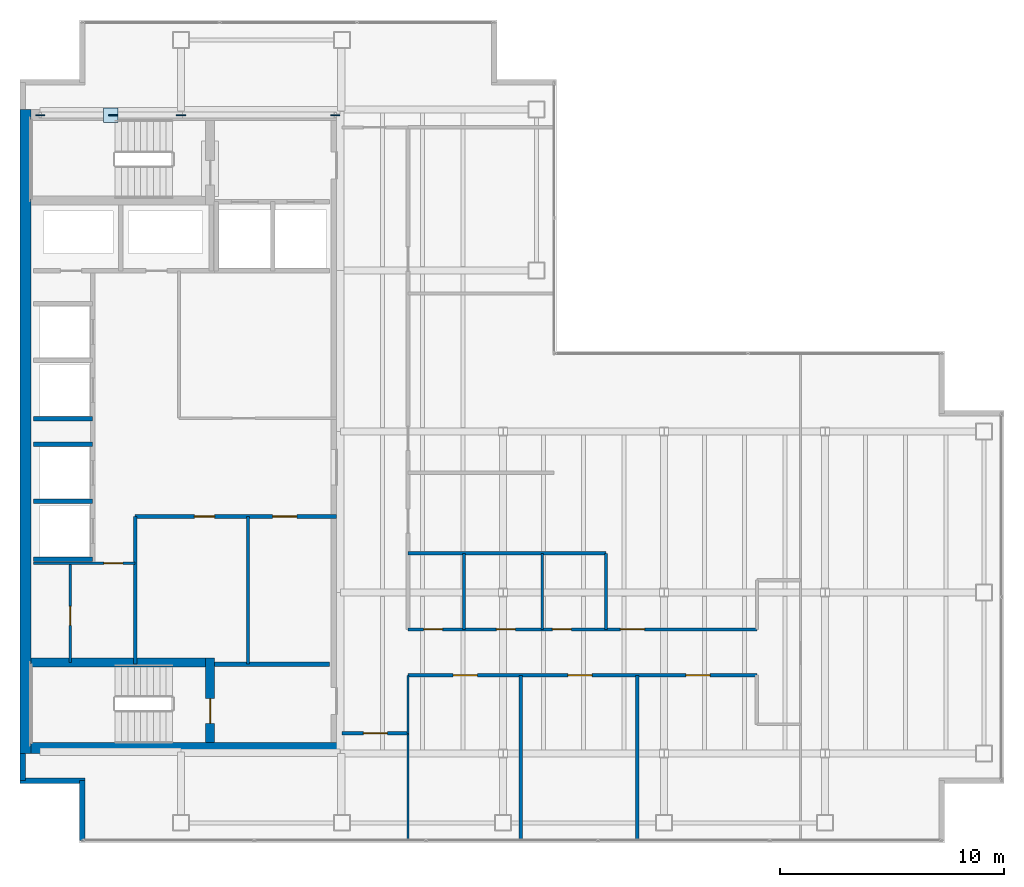
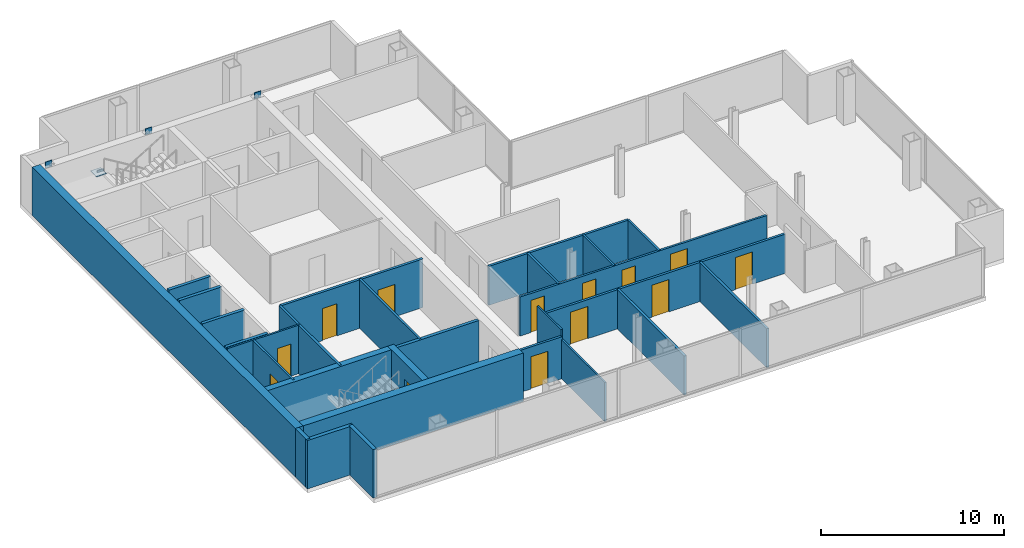
# One storey, part 20 of 23: 28 walls, 13 doors, 5 plates, 13 openings.
"""IFC4 building model written with IfcOpenShell, lengths in metres."""

from ifc_helpers import new_model, si_unit, direction, frame, frame_2d, origin, origin_2d, place, context, subcontext, project, spatial, rectangle, extrude, material, layer, layer_set, type_object, element, fill, save


model = new_model("IFC4")

# Units and contexts
model_context = context("Model", 3, precision=1e-05, world=origin(), true_north=direction((0.0, 1.0)))
body_context = subcontext(model_context, "Body", "Model", "MODEL_VIEW")
ifc_project = project(units=[si_unit("LENGTHUNIT", "METRE"), si_unit("AREAUNIT", "SQUARE_METRE"), si_unit("VOLUMEUNIT", "CUBIC_METRE"), si_unit("PLANEANGLEUNIT", "RADIAN"), si_unit("MASSUNIT", "GRAM", prefix="KILO")], contexts=[model_context])

# Site, building, storey
site_placement = place(None, origin())
site = spatial("IfcSite", under=ifc_project, at=site_placement, CompositionType="ELEMENT")
building_placement = place(site_placement, origin())
building = spatial("IfcBuilding", under=site, at=building_placement, Name="Cobrela Telecom Tower", CompositionType="ELEMENT")
storey_placement = place(building_placement, frame((0.0, 0.0, 222.25)))
storey = spatial("IfcBuildingStorey", under=building, at=storey_placement, Name="L57", CompositionType="ELEMENT", Elevation=222.25)

# Plates
ifc_material_1 = material(Name="Steel ASTM A572 Grade 50", Category="steel")
ifc_layer_1 = layer(ifc_material_1, 0.0419921875)
ifc_layer_set_1 = layer_set([ifc_layer_1], Name="Steel ASTM A572 Grade 50")
plate_type = type_object("IfcPlateType", Name="PLT-NODE-ND1", PredefinedType="USERDEFINED", material=ifc_layer_set_1)
for number, where, z_axis, x_axis, name in (
    (1, (7.199951171875, 35.75, 3.0751953125), (0.0, 0.0, 1.0), (1.0, 0.0, 0.0), "Steel node plate PLT-MBR-EXO-L57-N1-A-1"),
    (2, (4.173828125, 35.75, 1.349609375), (0.0, 0.0, 1.0), (-1.0, 0.0, 0.0), "Steel node plate PLT-MBR-EXO-L57-N1-B1-1"),
    (3, (0.89990234375, 35.75, 3.0751953125), (0.0, 0.0, 1.0), (-1.0, 0.0, 0.0), "Steel node plate PLT-MBR-EXO-L57-N1-B2-1"),
):
    element("IfcPlate", number, at=place(storey_placement, frame(where, z_axis=z_axis, x_axis=x_axis)), inside=storey, type_object=plate_type, Name=name, ObjectType="GUSSET PLATE", PredefinedType="USERDEFINED", context=body_context, shape_type="SweptSolid", body=[
        extrude(rectangle(XDim=0.409912109375, YDim=0.044921875, at=origin_2d()), origin(), (0.0, 0.0, 1.0), 0.409912109375),
    ])
plate_1_placement = place(storey_placement, frame((4.050048828125, 35.75, 1.59765625), z_axis=(0.0, 0.0, 1.0), x_axis=(1.0, 0.0, 0.0)))
element("IfcPlate", 4, at=plate_1_placement, inside=storey, type_object=plate_type, Name="L57 Core Flange Steel X-Brace Central X-Crossing Gusset Plate", ObjectType="GUSSET PLATE", PredefinedType="USERDEFINED", context=body_context, shape_type="SweptSolid", body=[
    extrude(rectangle(XDim=0.64990234375, YDim=0.64990234375, at=origin_2d()), origin(), (0.0, 0.0, 1.0), 0.044921875),
])
plate_2_placement = place(storey_placement, frame((14.10009765625, 35.75, 3.0751953125), z_axis=(0.0, 0.0, 1.0), x_axis=(1.0, 0.0, 0.0)))
element("IfcPlate", 5, at=plate_2_placement, inside=storey, type_object=plate_type, Name="Steel node plate PLT-MBR-EXO-L57-N2-1", ObjectType="GUSSET PLATE", PredefinedType="USERDEFINED", context=body_context, shape_type="SweptSolid", body=[
    extrude(rectangle(XDim=0.409912109375, YDim=0.044921875, at=origin_2d()), origin(), (0.0, 0.0, 1.0), 0.409912109375),
])

# Walls
ifc_material_2 = material(Name="Concrete C40/50", Category="concrete")
ifc_layer_2 = layer(ifc_material_2, 0.5)
ifc_layer_set_2 = layer_set([ifc_layer_2], Name="Concrete C40/50")
wall_type_1 = type_object("IfcWallType", Name="WALL-CORE-C40-500", PredefinedType="SHEAR", material=ifc_layer_set_2)
wall_1_placement = place(storey_placement, frame((0.25, 7.199951171875, 0.0), z_axis=(0.0, 0.0, 1.0), x_axis=(0.0, 1.0, 0.0)))
element("IfcWall", 6, at=wall_1_placement, inside=storey, type_object=wall_type_1, Name="L57 West Core Shear Wall", PredefinedType="SHEAR", context=body_context, shape_type="SweptSolid", body=[
    extrude(rectangle(XDim=28.800048828125, YDim=0.5, at=frame_2d((14.39990234375, 0.0))), origin(), (0.0, 0.0, 1.0), 3.239990234375),
])
wall_2_placement = place(storey_placement, frame((0.5, 7.449951171875, 0.0), z_axis=(0.0, 0.0, 1.0), x_axis=(1.0, 0.0, 0.0)))
element("IfcWall", 7, at=wall_2_placement, inside=storey, type_object=wall_type_1, Name="L57 South Core Shear Wall", PredefinedType="SHEAR", context=body_context, shape_type="SweptSolid", body=[
    extrude(rectangle(XDim=13.89990234375, YDim=0.5, at=frame_2d((6.949951171875, 0.0))), origin(), (0.0, 0.0, 1.0), 3.239990234375),
])
ifc_layer_3 = layer(ifc_material_2, 0.239990234375)
ifc_layer_set_3 = layer_set([ifc_layer_3], Name="Concrete C40/50")
wall_type_2 = type_object("IfcWallType", Name="WALL-EXT-300", PredefinedType="STANDARD", material=ifc_layer_set_3)
wall_3_placement = place(storey_placement, frame((2.7900390625, 3.320068359375, 0.0), z_axis=(0.0, 0.0, 1.0), x_axis=(0.0, 1.0, 0.0)))
element("IfcWall", 8, at=wall_3_placement, inside=storey, type_object=wall_type_2, Name="L57 Insulated Facade Wall 01", PredefinedType="STANDARD", context=body_context, shape_type="SweptSolid", body=[
    extrude(rectangle(XDim=2.669921875, YDim=0.239990234375, at=frame_2d((1.3349609375, 0.0))), origin(), (0.0, 0.0, 1.0), 3.239990234375),
])
wall_4_placement = place(storey_placement, frame((2.909912109375, 5.989990234375, 0.0), z_axis=(0.0, 0.0, 1.0), x_axis=(-1.0, 0.0, 0.0)))
element("IfcWall", 9, at=wall_4_placement, inside=storey, type_object=wall_type_2, Name="L57 Insulated Facade Wall 02", PredefinedType="STANDARD", context=body_context, shape_type="SweptSolid", body=[
    extrude(rectangle(XDim=2.909912109375, YDim=0.239990234375, at=frame_2d((1.455078125, 0.0))), origin(), (0.0, 0.0, 1.0), 3.239990234375),
])
wall_5_placement = place(storey_placement, frame((0.1201171875, 5.989990234375, 0.0), z_axis=(0.0, 0.0, 1.0), x_axis=(0.0, 1.0, 0.0)))
element("IfcWall", 10, at=wall_5_placement, inside=storey, type_object=wall_type_2, Name="L57 Insulated Facade Wall 03", PredefinedType="STANDARD", context=body_context, shape_type="SweptSolid", body=[
    extrude(rectangle(XDim=1.2099609375, YDim=0.239990234375, at=frame_2d((0.60498046875, 0.0))), origin(), (0.0, 0.0, 1.0), 3.239990234375),
])

# Wall, opening, door
ifc_material_3 = material(Name="Fire-Rated Gypsum Plasterboard")
ifc_layer_4 = layer(ifc_material_3, 0.110107421875)
ifc_layer_set_4 = layer_set([ifc_layer_4], Name="Fire-Rated Gypsum Plasterboard")
wall_type_3 = type_object("IfcWallType", Name="WALL-PART-110", PredefinedType="PARTITIONING", material=ifc_layer_set_4)
wall_6_placement = place(storey_placement, frame((0.60009765625, 15.699951171875, 0.0), z_axis=(0.0, 0.0, 1.0), x_axis=(1.0, 0.0, 0.0)))
wall_6 = element("IfcWall", 11, at=wall_6_placement, inside=storey, type_object=wall_type_3, Name="L57 Interior Partition CW-FLEX-N", PredefinedType="PARTITIONING", context=body_context, shape_type="SweptSolid", body=[
    extrude(rectangle(XDim=4.5498046875, YDim=0.110107421875, at=frame_2d((2.27490234375, 0.0))), origin(), (0.0, 0.0, 1.0), 3.239990234375),
])
opening_1_placement = place(wall_6_placement, frame((3.14990234375, 0.0, 0.0)))
opening_1 = element("IfcOpeningElement", 12, at=opening_1_placement, cuts=wall_6, Name="Opening DR-11", PredefinedType="OPENING", context=body_context, shape_type="SweptSolid", body=[
    extrude(rectangle(XDim=0.85009765625, YDim=2.14990234375, at=frame_2d((0.425048828125, 1.074951171875))), frame((0.0, 0.06689453125, 0.0), z_axis=(0.0, -1.0, 0.0), x_axis=(1.0, 0.0, 0.0)), (0.0, 0.0, 1.0), 0.134033203125),
])
ifc_material_4 = material(Name="Solid Engineered Oak Timber", Category="wood")
door_type_1 = type_object("IfcDoorType", Name="DOOR-INT-850", OperationType="SINGLE_SWING_LEFT", PredefinedType="DOOR", material=ifc_material_4)
door_1_placement = place(opening_1_placement, origin())
door_1 = element("IfcDoor", 13, at=door_1_placement, inside=storey, type_object=door_type_1, Name="L57 Door DR-11", OperationType="SINGLE_SWING_RIGHT", OverallHeight=2.14990234375, OverallWidth=0.85009765625, PredefinedType="DOOR", context=body_context, shape_type="SweptSolid", body=[
    extrude(rectangle(XDim=0.85009765625, YDim=2.14990234375, at=frame_2d((0.425048828125, 1.074951171875))), frame((0.0, 0.02490234375, 0.0), z_axis=(0.0, -1.0, 0.0), x_axis=(1.0, 0.0, 0.0)), (0.0, 0.0, 1.0), 0.050048828125),
])
fill(opening_1, door_1)

# Walls
wall_7_placement = place(storey_placement, frame((17.35009765625, 8.10009765625, 0.0), z_axis=(0.0, 0.0, 1.0), x_axis=(0.0, 1.0, 0.0)))
element("IfcWall", 14, at=wall_7_placement, inside=storey, type_object=wall_type_3, Name="L57 Interior Partition W-C-E1", PredefinedType="PARTITIONING", context=body_context, shape_type="SweptSolid", body=[
    extrude(rectangle(XDim=2.599853515625, YDim=0.110107421875, at=frame_2d((1.2998046875, 0.0))), origin(), (0.0, 0.0, 1.0), 3.239990234375),
])
wall_8_placement = place(storey_placement, frame((17.35009765625, 3.320068359375, 0.0), z_axis=(0.0, 0.0, 1.0), x_axis=(0.0, 1.0, 0.0)))
element("IfcWall", 15, at=wall_8_placement, inside=storey, type_object=wall_type_3, Name="L57 Interior Partition W-SW-E", PredefinedType="PARTITIONING", context=body_context, shape_type="SweptSolid", body=[
    extrude(rectangle(XDim=4.780029296875, YDim=0.110107421875, at=frame_2d((2.39013671875, 0.0))), origin(), (0.0, 0.0, 1.0), 2.613037109375),
])

# Wall, opening, door
ifc_layer_5 = layer(ifc_material_3, 0.125)
ifc_layer_set_5 = layer_set([ifc_layer_5], Name="Fire-Rated Gypsum Plasterboard")
wall_type_4 = type_object("IfcWallType", Name="WALL-PART-125", PredefinedType="PARTITIONING", material=ifc_layer_set_5)
wall_9_placement = place(storey_placement, frame((2.25, 11.280029296875, 0.0), z_axis=(0.0, 0.0, 1.0), x_axis=(0.0, 1.0, 0.0)))
wall_9 = element("IfcWall", 16, at=wall_9_placement, inside=storey, type_object=wall_type_4, Name="L57 Interior Partition CW-FK0-V", PredefinedType="PARTITIONING", context=body_context, shape_type="SweptSolid", body=[
    extrude(rectangle(XDim=4.419921875, YDim=0.125, at=frame_2d((2.2099609375, 0.0))), origin(), (0.0, 0.0, 1.0), 3.239990234375),
])
opening_2_placement = place(wall_9_placement, frame((1.64990234375, 0.0, 0.0)))
opening_2 = element("IfcOpeningElement", 17, at=opening_2_placement, cuts=wall_9, Name="Opening DR-11", PredefinedType="OPENING", context=body_context, shape_type="SweptSolid", body=[
    extrude(rectangle(XDim=0.85009765625, YDim=2.14990234375, at=frame_2d((0.425048828125, 1.074951171875))), frame((0.0, 0.074462890625, 0.0), z_axis=(0.0, -1.0, 0.0), x_axis=(1.0, 0.0, 0.0)), (0.0, 0.0, 1.0), 0.14892578125),
])
door_2_placement = place(opening_2_placement, origin())
door_2 = element("IfcDoor", 18, at=door_2_placement, inside=storey, type_object=door_type_1, Name="L57 Door DR-11", OperationType="SINGLE_SWING_LEFT", OverallHeight=2.14990234375, OverallWidth=0.85009765625, PredefinedType="DOOR", context=body_context, shape_type="SweptSolid", body=[
    extrude(rectangle(XDim=0.85009765625, YDim=2.14990234375, at=frame_2d((0.425048828125, 1.074951171875))), frame((0.0, 0.02490234375, 0.0), z_axis=(0.0, -1.0, 0.0), x_axis=(1.0, 0.0, 0.0)), (0.0, 0.0, 1.0), 0.050048828125),
])
fill(opening_2, door_2)

# Walls
for number, where, z_axis, x_axis, name in (
    (19, (19.85009765625, 12.75, 0.0), (0.0, 0.0, 1.0), (0.0, 1.0, 0.0), "L57 Interior Partition W-WCV-1"),
    (20, (23.35009765625, 12.75, 0.0), (0.0, 0.0, 1.0), (0.0, 1.0, 0.0), "L57 Interior Partition W-WCV-2"),
):
    element("IfcWall", number, at=place(storey_placement, frame(where, z_axis=z_axis, x_axis=x_axis)), inside=storey, type_object=wall_type_4, Name=name, PredefinedType="PARTITIONING", context=body_context, shape_type="SweptSolid", body=[
        extrude(rectangle(XDim=3.39990234375, YDim=0.125, at=frame_2d((1.699951171875, 0.0))), origin(), (0.0, 0.0, 1.0), 2.613037109375),
    ])
ifc_layer_6 = layer(ifc_material_3, 0.135009765625)
ifc_layer_set_6 = layer_set([ifc_layer_6], Name="Fire-Rated Gypsum Plasterboard")
wall_type_5 = type_object("IfcWallType", Name="WALL-PART-135", PredefinedType="PARTITIONING", material=ifc_layer_set_6)
wall_10_placement = place(storey_placement, frame((10.199951171875, 11.199951171875, 0.0), z_axis=(0.0, 0.0, 1.0), x_axis=(0.0, 1.0, 0.0)))
element("IfcWall", 21, at=wall_10_placement, inside=storey, type_object=wall_type_5, Name="L57 Interior Partition CW-RECM-V", PredefinedType="PARTITIONING", context=body_context, shape_type="SweptSolid", body=[
    extrude(rectangle(XDim=6.60009765625, YDim=0.135009765625, at=frame_2d((3.300048828125, 0.0))), origin(), (0.0, 0.0, 1.0), 3.239990234375),
])

# Wall, openings, doors
wall_11_placement = place(storey_placement, frame((17.35009765625, 12.75, 0.0), z_axis=(0.0, 0.0, 1.0), x_axis=(1.0, 0.0, 0.0)))
wall_11 = element("IfcWall", 22, at=wall_11_placement, inside=storey, type_object=wall_type_5, Name="L57 Interior Partition W-C-HN", PredefinedType="PARTITIONING", context=body_context, shape_type="SweptSolid", body=[
    extrude(rectangle(XDim=15.599853515625, YDim=0.135009765625, at=frame_2d((7.7998046875, 0.0))), origin(), (0.0, 0.0, 1.0), 2.613037109375),
])
opening_3_placement = place(wall_11_placement, frame((0.699951171875, 0.0, 0.0)))
opening_3 = element("IfcOpeningElement", 23, at=opening_3_placement, cuts=wall_11, Name="Opening DR-11", PredefinedType="OPENING", context=body_context, shape_type="SweptSolid", body=[
    extrude(rectangle(XDim=0.85009765625, YDim=2.14990234375, at=frame_2d((0.425048828125, 1.074951171875))), frame((0.0, 0.07958984375, 0.0), z_axis=(0.0, -1.0, 0.0), x_axis=(1.0, 0.0, 0.0)), (0.0, 0.0, 1.0), 0.158935546875),
])
opening_4_placement = place(wall_11_placement, frame((3.949951171875, 0.0, 0.0)))
opening_4 = element("IfcOpeningElement", 24, at=opening_4_placement, cuts=wall_11, Name="Opening DR-11", PredefinedType="OPENING", context=body_context, shape_type="SweptSolid", body=[
    extrude(rectangle(XDim=0.85009765625, YDim=2.14990234375, at=frame_2d((0.425048828125, 1.074951171875))), frame((0.0, 0.07958984375, 0.0), z_axis=(0.0, -1.0, 0.0), x_axis=(1.0, 0.0, 0.0)), (0.0, 0.0, 1.0), 0.158935546875),
])
opening_5_placement = place(wall_11_placement, frame((6.4599609375, 0.0, 0.0)))
opening_5 = element("IfcOpeningElement", 25, at=opening_5_placement, cuts=wall_11, Name="Opening DR-11", PredefinedType="OPENING", context=body_context, shape_type="SweptSolid", body=[
    extrude(rectangle(XDim=0.85009765625, YDim=2.14990234375, at=frame_2d((0.425048828125, 1.074951171875))), frame((0.0, 0.07958984375, 0.0), z_axis=(0.0, -1.0, 0.0), x_axis=(1.0, 0.0, 0.0)), (0.0, 0.0, 1.0), 0.158935546875),
])
opening_6_placement = place(wall_11_placement, frame((9.5, 0.0, 0.0)))
opening_6 = element("IfcOpeningElement", 26, at=opening_6_placement, cuts=wall_11, Name="Opening DR-63", PredefinedType="OPENING", context=body_context, shape_type="SweptSolid", body=[
    extrude(rectangle(XDim=1.080078125, YDim=2.14990234375, at=frame_2d((0.5400390625, 1.074951171875))), frame((0.0, 0.07958984375, 0.0), z_axis=(0.0, -1.0, 0.0), x_axis=(1.0, 0.0, 0.0)), (0.0, 0.0, 1.0), 0.158935546875),
])
door_type_2 = type_object("IfcDoorType", Name="DOOR-INT-1080", OperationType="SINGLE_SWING_LEFT", PredefinedType="DOOR", material=ifc_material_4)
door_3_placement = place(opening_6_placement, origin())
door_3 = element("IfcDoor", 27, at=door_3_placement, inside=storey, type_object=door_type_2, Name="L57 Door DR-63", OperationType="SINGLE_SWING_RIGHT", OverallHeight=2.14990234375, OverallWidth=1.080078125, PredefinedType="DOOR", context=body_context, shape_type="SweptSolid", body=[
    extrude(rectangle(XDim=1.080078125, YDim=2.14990234375, at=frame_2d((0.5400390625, 1.074951171875))), frame((0.0, 0.02490234375, 0.0), z_axis=(0.0, -1.0, 0.0), x_axis=(1.0, 0.0, 0.0)), (0.0, 0.0, 1.0), 0.050048828125),
])
fill(opening_6, door_3)
door_4_placement = place(opening_3_placement, origin())
door_4 = element("IfcDoor", 28, at=door_4_placement, inside=storey, type_object=door_type_1, Name="L57 Door DR-11", OperationType="SINGLE_SWING_LEFT", OverallHeight=2.14990234375, OverallWidth=0.85009765625, PredefinedType="DOOR", context=body_context, shape_type="SweptSolid", body=[
    extrude(rectangle(XDim=0.85009765625, YDim=2.14990234375, at=frame_2d((0.425048828125, 1.074951171875))), frame((0.0, 0.02490234375, 0.0), z_axis=(0.0, -1.0, 0.0), x_axis=(1.0, 0.0, 0.0)), (0.0, 0.0, 1.0), 0.050048828125),
])
fill(opening_3, door_4)
door_5_placement = place(opening_4_placement, origin())
door_5 = element("IfcDoor", 29, at=door_5_placement, inside=storey, type_object=door_type_1, Name="L57 Door DR-11", OperationType="SINGLE_SWING_RIGHT", OverallHeight=2.14990234375, OverallWidth=0.85009765625, PredefinedType="DOOR", context=body_context, shape_type="SweptSolid", body=[
    extrude(rectangle(XDim=0.85009765625, YDim=2.14990234375, at=frame_2d((0.425048828125, 1.074951171875))), frame((0.0, 0.02490234375, 0.0), z_axis=(0.0, -1.0, 0.0), x_axis=(1.0, 0.0, 0.0)), (0.0, 0.0, 1.0), 0.050048828125),
])
fill(opening_4, door_5)
door_6_placement = place(opening_5_placement, origin())
door_6 = element("IfcDoor", 30, at=door_6_placement, inside=storey, type_object=door_type_1, Name="L57 Door DR-11", OperationType="SINGLE_SWING_LEFT", OverallHeight=2.14990234375, OverallWidth=0.85009765625, PredefinedType="DOOR", context=body_context, shape_type="SweptSolid", body=[
    extrude(rectangle(XDim=0.85009765625, YDim=2.14990234375, at=frame_2d((0.425048828125, 1.074951171875))), frame((0.0, 0.02490234375, 0.0), z_axis=(0.0, -1.0, 0.0), x_axis=(1.0, 0.0, 0.0)), (0.0, 0.0, 1.0), 0.050048828125),
])
fill(opening_5, door_6)

# Walls
wall_12_placement = place(storey_placement, frame((26.199951171875, 12.75, 0.0), z_axis=(0.0, 0.0, 1.0), x_axis=(0.0, 1.0, 0.0)))
element("IfcWall", 31, at=wall_12_placement, inside=storey, type_object=wall_type_5, Name="L57 Interior Partition W-WC-R", PredefinedType="PARTITIONING", context=body_context, shape_type="SweptSolid", body=[
    extrude(rectangle(XDim=3.39990234375, YDim=0.135009765625, at=frame_2d((1.699951171875, 0.0))), origin(), (0.0, 0.0, 1.0), 2.613037109375),
])
ifc_layer_7 = layer(ifc_material_3, 0.14990234375)
ifc_layer_set_7 = layer_set([ifc_layer_7], Name="Fire-Rated Gypsum Plasterboard")
wall_type_6 = type_object("IfcWallType", Name="WALL-PART-150", PredefinedType="PARTITIONING", material=ifc_layer_set_7)
wall_13_placement = place(storey_placement, frame((5.14990234375, 11.199951171875, 0.0), z_axis=(0.0, 0.0, 1.0), x_axis=(0.0, 1.0, 0.0)))
element("IfcWall", 32, at=wall_13_placement, inside=storey, type_object=wall_type_6, Name="L57 Interior Partition CW-RECM-W", PredefinedType="PARTITIONING", context=body_context, shape_type="SweptSolid", body=[
    extrude(rectangle(XDim=6.60009765625, YDim=0.14990234375, at=frame_2d((3.300048828125, 0.0))), origin(), (0.0, 0.0, 1.0), 3.239990234375),
])

# Wall, opening, door
wall_14_placement = place(storey_placement, frame((14.39990234375, 8.10009765625, 0.0), z_axis=(0.0, 0.0, 1.0), x_axis=(1.0, 0.0, 0.0)))
wall_14 = element("IfcWall", 33, at=wall_14_placement, inside=storey, type_object=wall_type_6, Name="L57 Interior Partition W-C-S0", PredefinedType="PARTITIONING", context=body_context, shape_type="SweptSolid", body=[
    extrude(rectangle(XDim=2.9501953125, YDim=0.14990234375, at=frame_2d((1.47509765625, 0.0))), origin(), (0.0, 0.0, 1.0), 2.80810546875),
])
opening_7_placement = place(wall_14_placement, frame((0.949951171875, 0.0, 0.0)))
opening_7 = element("IfcOpeningElement", 34, at=opening_7_placement, cuts=wall_14, Name="Opening DR-63", PredefinedType="OPENING", context=body_context, shape_type="SweptSolid", body=[
    extrude(rectangle(XDim=1.080078125, YDim=2.14990234375, at=frame_2d((0.5400390625, 1.074951171875))), frame((0.0, 0.0869140625, 0.0), z_axis=(0.0, -1.0, 0.0), x_axis=(1.0, 0.0, 0.0)), (0.0, 0.0, 1.0), 0.173828125),
])
door_7_placement = place(opening_7_placement, origin())
door_7 = element("IfcDoor", 35, at=door_7_placement, inside=storey, type_object=door_type_2, Name="L57 Door DR-63", OperationType="SINGLE_SWING_RIGHT", OverallHeight=2.14990234375, OverallWidth=1.080078125, PredefinedType="DOOR", context=body_context, shape_type="SweptSolid", body=[
    extrude(rectangle(XDim=1.080078125, YDim=2.14990234375, at=frame_2d((0.5400390625, 1.074951171875))), frame((0.0, 0.02490234375, 0.0), z_axis=(0.0, -1.0, 0.0), x_axis=(1.0, 0.0, 0.0)), (0.0, 0.0, 1.0), 0.050048828125),
])
fill(opening_7, door_7)

# Wall, openings, doors
wall_15_placement = place(storey_placement, frame((17.35009765625, 10.699951171875, 0.0), z_axis=(0.0, 0.0, 1.0), x_axis=(1.0, 0.0, 0.0)))
wall_15 = element("IfcWall", 36, at=wall_15_placement, inside=storey, type_object=wall_type_6, Name="L57 Interior Partition W-C-HS", PredefinedType="PARTITIONING", context=body_context, shape_type="SweptSolid", body=[
    extrude(rectangle(XDim=15.599853515625, YDim=0.14990234375, at=frame_2d((7.7998046875, 0.0))), origin(), (0.0, 0.0, 1.0), 2.613037109375),
])
opening_8_placement = place(wall_15_placement, frame((2.02001953125, 0.0, 0.0)))
opening_8 = element("IfcOpeningElement", 37, at=opening_8_placement, cuts=wall_15, Name="Opening DR-63", PredefinedType="OPENING", context=body_context, shape_type="SweptSolid", body=[
    extrude(rectangle(XDim=1.080078125, YDim=2.14990234375, at=frame_2d((0.5400390625, 1.074951171875))), frame((0.0, 0.0869140625, 0.0), z_axis=(0.0, -1.0, 0.0), x_axis=(1.0, 0.0, 0.0)), (0.0, 0.0, 1.0), 0.173828125),
])
opening_9_placement = place(wall_15_placement, frame((7.14990234375, 0.0, 0.0)))
opening_9 = element("IfcOpeningElement", 38, at=opening_9_placement, cuts=wall_15, Name="Opening DR-63", PredefinedType="OPENING", context=body_context, shape_type="SweptSolid", body=[
    extrude(rectangle(XDim=1.080078125, YDim=2.14990234375, at=frame_2d((0.5400390625, 1.074951171875))), frame((0.0, 0.0869140625, 0.0), z_axis=(0.0, -1.0, 0.0), x_axis=(1.0, 0.0, 0.0)), (0.0, 0.0, 1.0), 0.173828125),
])
opening_10_placement = place(wall_15_placement, frame((12.429931640625, 0.0, 0.0)))
opening_10 = element("IfcOpeningElement", 39, at=opening_10_placement, cuts=wall_15, Name="Opening DR-63", PredefinedType="OPENING", context=body_context, shape_type="SweptSolid", body=[
    extrude(rectangle(XDim=1.080078125, YDim=2.14990234375, at=frame_2d((0.5400390625, 1.074951171875))), frame((0.0, 0.0869140625, 0.0), z_axis=(0.0, -1.0, 0.0), x_axis=(1.0, 0.0, 0.0)), (0.0, 0.0, 1.0), 0.173828125),
])
door_8_placement = place(opening_8_placement, origin())
door_8 = element("IfcDoor", 40, at=door_8_placement, inside=storey, type_object=door_type_2, Name="L57 Door DR-63", OperationType="SINGLE_SWING_LEFT", OverallHeight=2.14990234375, OverallWidth=1.080078125, PredefinedType="DOOR", context=body_context, shape_type="SweptSolid", body=[
    extrude(rectangle(XDim=1.080078125, YDim=2.14990234375, at=frame_2d((0.5400390625, 1.074951171875))), frame((0.0, 0.02490234375, 0.0), z_axis=(0.0, -1.0, 0.0), x_axis=(1.0, 0.0, 0.0)), (0.0, 0.0, 1.0), 0.050048828125),
])
fill(opening_8, door_8)
door_9_placement = place(opening_9_placement, origin())
door_9 = element("IfcDoor", 41, at=door_9_placement, inside=storey, type_object=door_type_2, Name="L57 Door DR-63", OperationType="SINGLE_SWING_RIGHT", OverallHeight=2.14990234375, OverallWidth=1.080078125, PredefinedType="DOOR", context=body_context, shape_type="SweptSolid", body=[
    extrude(rectangle(XDim=1.080078125, YDim=2.14990234375, at=frame_2d((0.5400390625, 1.074951171875))), frame((0.0, 0.02490234375, 0.0), z_axis=(0.0, -1.0, 0.0), x_axis=(1.0, 0.0, 0.0)), (0.0, 0.0, 1.0), 0.050048828125),
])
fill(opening_9, door_9)
door_10_placement = place(opening_10_placement, origin())
door_10 = element("IfcDoor", 42, at=door_10_placement, inside=storey, type_object=door_type_2, Name="L57 Door DR-63", OperationType="SINGLE_SWING_LEFT", OverallHeight=2.14990234375, OverallWidth=1.080078125, PredefinedType="DOOR", context=body_context, shape_type="SweptSolid", body=[
    extrude(rectangle(XDim=1.080078125, YDim=2.14990234375, at=frame_2d((0.5400390625, 1.074951171875))), frame((0.0, 0.02490234375, 0.0), z_axis=(0.0, -1.0, 0.0), x_axis=(1.0, 0.0, 0.0)), (0.0, 0.0, 1.0), 0.050048828125),
])
fill(opening_10, door_10)

# Walls
wall_16_placement = place(storey_placement, frame((17.35009765625, 16.14990234375, 0.0), z_axis=(0.0, 0.0, 1.0), x_axis=(1.0, 0.0, 0.0)))
element("IfcWall", 43, at=wall_16_placement, inside=storey, type_object=wall_type_6, Name="L57 Interior Partition W-WC-N", PredefinedType="PARTITIONING", context=body_context, shape_type="SweptSolid", body=[
    extrude(rectangle(XDim=8.849853515625, YDim=0.14990234375, at=frame_2d((4.4248046875, 0.0))), origin(), (0.0, 0.0, 1.0), 2.613037109375),
])
wall_17_placement = place(storey_placement, frame((27.60009765625, 3.320068359375, 0.0), z_axis=(0.0, 0.0, 1.0), x_axis=(0.0, 1.0, 0.0)))
element("IfcWall", 44, at=wall_17_placement, inside=storey, type_object=wall_type_6, Name="L57 Interior Partition W-SV-2", PredefinedType="PARTITIONING", context=body_context, shape_type="SweptSolid", body=[
    extrude(rectangle(XDim=7.3798828125, YDim=0.14990234375, at=frame_2d((3.68994140625, 0.0))), origin(), (0.0, 0.0, 1.0), 2.613037109375),
])

# Wall, openings, doors
ifc_layer_8 = layer(ifc_material_3, 0.159912109375)
ifc_layer_set_8 = layer_set([ifc_layer_8], Name="Fire-Rated Gypsum Plasterboard")
wall_type_7 = type_object("IfcWallType", Name="WALL-PART-160", PredefinedType="PARTITIONING", material=ifc_layer_set_8)
wall_18_placement = place(storey_placement, frame((5.14990234375, 17.800048828125, 0.0), z_axis=(0.0, 0.0, 1.0), x_axis=(1.0, 0.0, 0.0)))
wall_18 = element("IfcWall", 45, at=wall_18_placement, inside=storey, type_object=wall_type_7, Name="L57 Interior Partition CW-RECM-N", PredefinedType="PARTITIONING", context=body_context, shape_type="SweptSolid", body=[
    extrude(rectangle(XDim=9.0, YDim=0.159912109375, at=frame_2d((4.5, 0.0))), origin(), (0.0, 0.0, 1.0), 3.239990234375),
])
opening_11_placement = place(wall_18_placement, frame((2.64990234375, 0.0, 0.0)))
opening_11 = element("IfcOpeningElement", 46, at=opening_11_placement, cuts=wall_18, Name="Opening DR-41", PredefinedType="OPENING", context=body_context, shape_type="SweptSolid", body=[
    extrude(rectangle(XDim=0.89990234375, YDim=2.14990234375, at=frame_2d((0.449951171875, 1.074951171875))), frame((0.0, 0.091796875, 0.0), z_axis=(0.0, -1.0, 0.0), x_axis=(1.0, 0.0, 0.0)), (0.0, 0.0, 1.0), 0.183837890625),
])
opening_12_placement = place(wall_18_placement, frame((6.14990234375, 0.0, 0.0)))
opening_12 = element("IfcOpeningElement", 47, at=opening_12_placement, cuts=wall_18, Name="Opening DR-63", PredefinedType="OPENING", context=body_context, shape_type="SweptSolid", body=[
    extrude(rectangle(XDim=1.080078125, YDim=2.14990234375, at=frame_2d((0.5400390625, 1.074951171875))), frame((0.0, 0.091796875, 0.0), z_axis=(0.0, -1.0, 0.0), x_axis=(1.0, 0.0, 0.0)), (0.0, 0.0, 1.0), 0.183837890625),
])
door_11_placement = place(opening_12_placement, origin())
door_11 = element("IfcDoor", 48, at=door_11_placement, inside=storey, type_object=door_type_2, Name="L57 Door DR-63", OperationType="SINGLE_SWING_RIGHT", OverallHeight=2.14990234375, OverallWidth=1.080078125, PredefinedType="DOOR", context=body_context, shape_type="SweptSolid", body=[
    extrude(rectangle(XDim=1.080078125, YDim=2.14990234375, at=frame_2d((0.5400390625, 1.074951171875))), frame((0.0, 0.02490234375, 0.0), z_axis=(0.0, -1.0, 0.0), x_axis=(1.0, 0.0, 0.0)), (0.0, 0.0, 1.0), 0.050048828125),
])
fill(opening_12, door_11)
door_type_3 = type_object("IfcDoorType", Name="DOOR-INT-900", OperationType="SINGLE_SWING_LEFT", PredefinedType="DOOR", material=ifc_material_4)
door_12_placement = place(opening_11_placement, origin())
door_12 = element("IfcDoor", 49, at=door_12_placement, inside=storey, type_object=door_type_3, Name="L57 Door DR-41", OperationType="SINGLE_SWING_LEFT", OverallHeight=2.14990234375, OverallWidth=0.89990234375, PredefinedType="DOOR", context=body_context, shape_type="SweptSolid", body=[
    extrude(rectangle(XDim=0.89990234375, YDim=2.14990234375, at=frame_2d((0.449951171875, 1.074951171875))), frame((0.0, 0.02490234375, 0.0), z_axis=(0.0, -1.0, 0.0), x_axis=(1.0, 0.0, 0.0)), (0.0, 0.0, 1.0), 0.050048828125),
])
fill(opening_11, door_12)

# Walls
wall_19_placement = place(storey_placement, frame((22.39990234375, 3.320068359375, 0.0), z_axis=(0.0, 0.0, 1.0), x_axis=(0.0, 1.0, 0.0)))
element("IfcWall", 50, at=wall_19_placement, inside=storey, type_object=wall_type_7, Name="L57 Interior Partition W-SV-1", PredefinedType="PARTITIONING", context=body_context, shape_type="SweptSolid", body=[
    extrude(rectangle(XDim=7.3798828125, YDim=0.159912109375, at=frame_2d((3.68994140625, 0.0))), origin(), (0.0, 0.0, 1.0), 2.613037109375),
])
ifc_layer_9 = layer(ifc_material_3, 0.199951171875)
ifc_layer_set_9 = layer_set([ifc_layer_9], Name="Fire-Rated Gypsum Plasterboard")
wall_type_8 = type_object("IfcWallType", Name="WALL-SHAFT-200", PredefinedType="PARTITIONING", material=ifc_layer_set_9)
wall_20_placement = place(storey_placement, frame((8.699951171875, 11.199951171875, 0.0), z_axis=(0.0, 0.0, 1.0), x_axis=(1.0, 0.0, 0.0)))
element("IfcWall", 51, at=wall_20_placement, inside=storey, type_object=wall_type_8, Name="L57 Shaft Enclosure CW-ST2L-N", PredefinedType="PARTITIONING", context=body_context, shape_type="SweptSolid", body=[
    extrude(rectangle(XDim=5.150146484375, YDim=0.199951171875, at=frame_2d((2.5751953125, 0.0))), origin(), (0.0, 0.0, 1.0), 3.239990234375),
])
for number, where, z_axis, x_axis, name in (
    (52, (0.60009765625, 15.8798828125, 0.0), (0.0, 0.0, 1.0), (1.0, 0.0, 0.0), "L57 Shaft Enclosure CW-PLH-D9"),
    (53, (0.60009765625, 18.47998046875, 0.0), (0.0, 0.0, 1.0), (1.0, 0.0, 0.0), "L57 Shaft Enclosure CW-PLH-D10"),
    (54, (0.60009765625, 22.179931640625, 0.0), (0.0, 0.0, 1.0), (1.0, 0.0, 0.0), "L57 Shaft Enclosure CW-PLH-D11"),
    (55, (0.60009765625, 21.02001953125, 0.0), (0.0, 0.0, 1.0), (1.0, 0.0, 0.0), "L57 Shaft Enclosure CW-PLH-MID"),
):
    element("IfcWall", number, at=place(storey_placement, frame(where, z_axis=z_axis, x_axis=x_axis)), inside=storey, type_object=wall_type_8, Name=name, PredefinedType="PARTITIONING", context=body_context, shape_type="SweptSolid", body=[
        extrude(rectangle(XDim=2.64990234375, YDim=0.199951171875, at=frame_2d((1.324951171875, 0.0))), origin(), (0.0, 0.0, 1.0), 3.239990234375),
    ])
ifc_layer_10 = layer(ifc_material_2, 0.39990234375)
ifc_layer_set_10 = layer_set([ifc_layer_10], Name="Concrete C40/50")
wall_type_9 = type_object("IfcWallType", Name="WALL-SHAFT-C40-400", PredefinedType="SHEAR", material=ifc_layer_set_10)
wall_21_placement = place(storey_placement, frame((0.5, 11.280029296875, 0.0), z_axis=(0.0, 0.0, 1.0), x_axis=(1.0, 0.0, 0.0)))
element("IfcWall", 56, at=wall_21_placement, inside=storey, type_object=wall_type_9, Name="L57 South Stair Shear Wall", PredefinedType="SHEAR", context=body_context, shape_type="SweptSolid", body=[
    extrude(rectangle(XDim=7.800048828125, YDim=0.39990234375, at=frame_2d((3.89990234375, 0.0))), origin(), (0.0, 0.0, 1.0), 3.239990234375),
])

# Wall, opening, door
wall_22_placement = place(storey_placement, frame((8.5, 7.699951171875, 0.0), z_axis=(0.0, 0.0, 1.0), x_axis=(0.0, 1.0, 0.0)))
wall_22 = element("IfcWall", 57, at=wall_22_placement, inside=storey, type_object=wall_type_9, Name="L57 South Stair Lobby Shear Wall", PredefinedType="SHEAR", context=body_context, shape_type="SweptSolid", body=[
    extrude(rectangle(XDim=3.780029296875, YDim=0.39990234375, at=frame_2d((1.89013671875, 0.0))), origin(), (0.0, 0.0, 1.0), 3.239990234375),
])
opening_13_placement = place(wall_22_placement, frame((0.85009765625, 0.0, 0.0)))
opening_13 = element("IfcOpeningElement", 58, at=opening_13_placement, cuts=wall_22, Name="Opening FD-90", PredefinedType="OPENING", context=body_context, shape_type="SweptSolid", body=[
    extrude(rectangle(XDim=1.10009765625, YDim=2.14990234375, at=frame_2d((0.550048828125, 1.074951171875))), frame((0.0, 0.2119140625, 0.0), z_axis=(0.0, -1.0, 0.0), x_axis=(1.0, 0.0, 0.0)), (0.0, 0.0, 1.0), 0.423828125),
])
ifc_material_5 = material(Name="Steel ASTM A36", Category="steel")
door_type_4 = type_object("IfcDoorType", Name="DOOR-FD90-1100", OperationType="SINGLE_SWING_LEFT", PredefinedType="DOOR", material=ifc_material_5)
door_13_placement = place(opening_13_placement, origin())
door_13 = element("IfcDoor", 59, at=door_13_placement, inside=storey, type_object=door_type_4, Name="L57 Door FD-90", OperationType="SINGLE_SWING_LEFT", OverallHeight=2.14990234375, OverallWidth=1.10009765625, PredefinedType="DOOR", context=body_context, shape_type="SweptSolid", body=[
    extrude(rectangle(XDim=1.10009765625, YDim=2.14990234375, at=frame_2d((0.550048828125, 1.074951171875))), frame((0.0, 0.02490234375, 0.0), z_axis=(0.0, -1.0, 0.0), x_axis=(1.0, 0.0, 0.0)), (0.0, 0.0, 1.0), 0.050048828125),
])
fill(opening_13, door_13)

save(model, "model.ifc")
